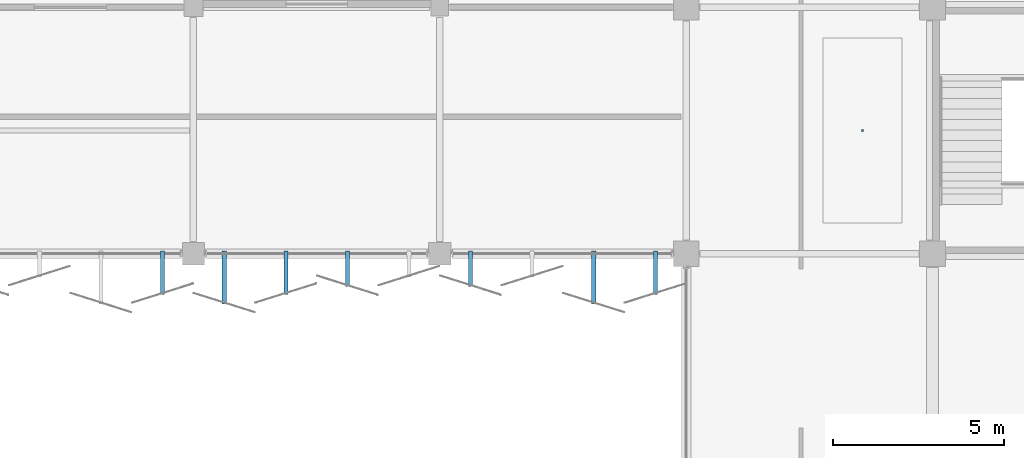
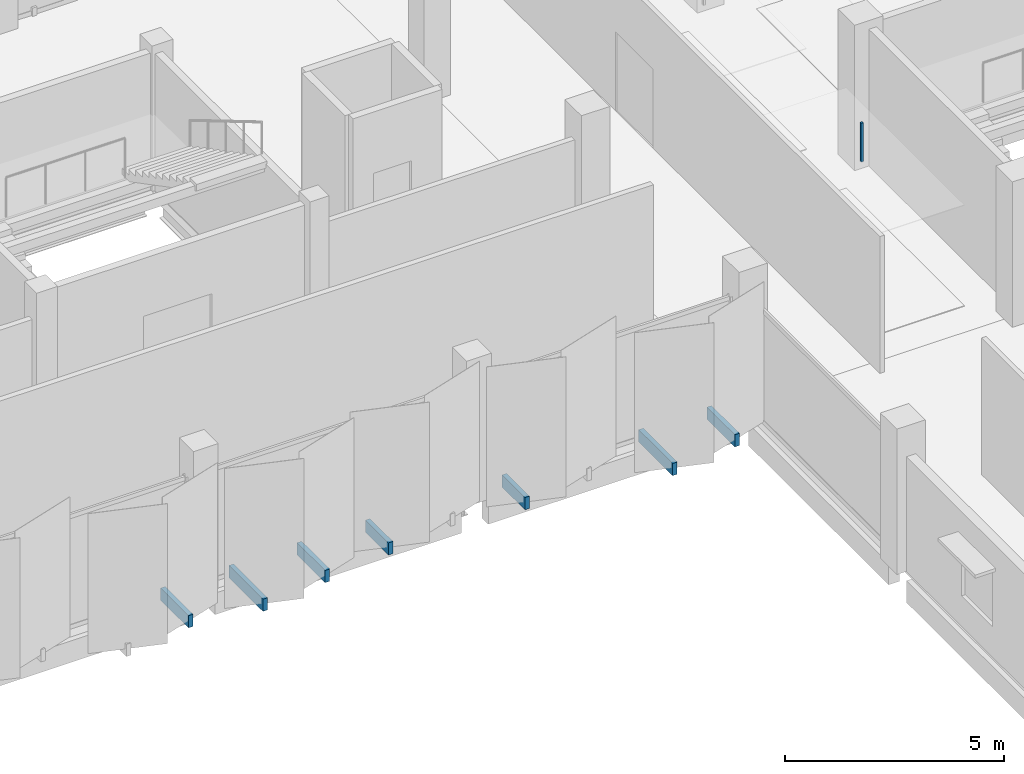
# One storey, part 102 of 108: 8 discrete accessories.
"""IFC4 building model written with IfcOpenShell, lengths in metres."""

import ifcopenshell
import ifcopenshell.guid

model = None  # the IFC model being written
_history = None  # IfcOwnerHistory: only IFC2X3 demands one
_inside = {}  # id of a spatial element -> (the spatial element, [elements in it])
_under = {}  # id of a project, library or spatial element -> (it, [spatial elements below it])
_declared = {}  # id of a project -> (the project, [libraries it declares])
_typed = {}  # id of a type object -> (the type object, [elements of that type])
_made_of = {}  # id of a material, layer set ... -> (it, [elements and type objects made of it])


def new_model(schema):
    """Start an empty IFC model of exactly this schema.

    Asked for "IFC4X3", IfcOpenShell would pick the latest addendum, in which some entities
    have other attributes; the version numbers below select the first issue.
    IFC2X3 requires an IfcOwnerHistory on every rooted entity: one is made here for all.
    """
    global model, _history
    if schema == "IFC4X3":
        model = ifcopenshell.file(schema_version=(4, 3, 0, 0))
    else:
        model = ifcopenshell.file(schema=schema)
    _inside.clear()
    _under.clear()
    _declared.clear()
    _typed.clear()
    _made_of.clear()
    _history = None
    if model.schema == "IFC2X3":
        org = make("IfcOrganization", Name="unknown")
        user = make(
            "IfcPersonAndOrganization",
            ThePerson=make("IfcPerson", FamilyName="unknown"),
            TheOrganization=org,
        )
        app = make(
            "IfcApplication",
            ApplicationDeveloper=org,
            Version="unknown",
            ApplicationFullName="unknown",
            ApplicationIdentifier="unknown",
        )
        _history = make(
            "IfcOwnerHistory",
            OwningUser=user,
            OwningApplication=app,
            ChangeAction="ADDED",
            CreationDate=0,
        )
    return model


def make(cls, **values):
    """One entity of the class cls with the attributes given. An attribute that is None is left unset."""
    return model.create_entity(
        cls, **{name: value for name, value in values.items() if value is not None}
    )


def rooted(cls, **values):
    """An entity with a GlobalId (a new one), such as an element, a storey or a relation."""
    return make(cls, GlobalId=ifcopenshell.guid.new(), OwnerHistory=_history, **values)


def si_unit(unit_type, name, prefix=None):
    """IfcSIUnit, for example si_unit("LENGTHUNIT", "METRE", prefix="MILLI")."""
    return make("IfcSIUnit", UnitType=unit_type, Prefix=prefix, Name=name)


def assignment(units):
    """IfcUnitAssignment: the units of a project."""
    return None if units is None else make("IfcUnitAssignment", Units=units)


def point(xyz):
    """IfcCartesianPoint."""
    return None if xyz is None else make("IfcCartesianPoint", Coordinates=xyz)


def direction(xyz):
    """IfcDirection."""
    return None if xyz is None else make("IfcDirection", DirectionRatios=xyz)


def frame(location, z_axis=None, x_axis=None):
    """IfcAxis2Placement3D, a coordinate frame: its origin and axes. An axis left out is left unset."""
    return make(
        "IfcAxis2Placement3D",
        Location=point(location),
        Axis=direction(z_axis),
        RefDirection=direction(x_axis),
    )


def frame_2d(location, x_axis=None):
    """IfcAxis2Placement2D, a coordinate frame in the plane: its origin and x axis."""
    return make(
        "IfcAxis2Placement2D", Location=point(location), RefDirection=direction(x_axis)
    )


def origin():
    """The frame at (0, 0, 0) with its axes left unset."""
    return frame((0.0, 0.0, 0.0))


def origin_2d():
    """The frame at (0, 0) in the plane with its x axis left unset."""
    return frame_2d((0.0, 0.0))


def place(relative_to, where):
    """IfcLocalPlacement: puts the frame where relative to a parent placement (None: the world)."""
    return make(
        "IfcLocalPlacement", PlacementRelTo=relative_to, RelativePlacement=where
    )


def context(
    kind, dimensions, precision=None, world=None, true_north=None, identifier=None
):
    """IfcGeometricRepresentationContext, for example the 3D "Model" context."""
    return make(
        "IfcGeometricRepresentationContext",
        ContextIdentifier=identifier,
        ContextType=kind,
        CoordinateSpaceDimension=dimensions,
        Precision=precision,
        WorldCoordinateSystem=world,
        TrueNorth=true_north,
    )


def subcontext(parent, identifier, kind, view, scale=None):
    """IfcGeometricRepresentationSubContext, for example "Body" below "Model"."""
    return make(
        "IfcGeometricRepresentationSubContext",
        ContextIdentifier=identifier,
        ContextType=kind,
        ParentContext=parent,
        TargetScale=scale,
        TargetView=view,
    )


def project(units=None, contexts=None):
    """IfcProject with its units and contexts."""
    return rooted(
        "IfcProject",
        Name="project",
        RepresentationContexts=contexts,
        UnitsInContext=assignment(units),
    )


def spatial(cls, under=None, at=None, **own):
    """A site, building, storey or space (cls), placed at a placement, below another one or the project."""
    s = rooted(cls, ObjectPlacement=at, **own)
    if under is not None:
        _under.setdefault(under.id(), (under, []))[1].append(s)
    return s


def profile(cls, at=None, kind="AREA", **sizes):
    """A parametric profile (cls). Its sizes go by their IFC names, for example OverallWidth=200.0."""
    return make(cls, ProfileType=kind, Position=at, **sizes)


def rectangle(**sizes):
    """IfcRectangleProfileDef."""
    return profile("IfcRectangleProfileDef", **sizes)


def extrude(swept, where, along, depth):
    """IfcExtrudedAreaSolid: the profile swept, set in the frame where, extruded along a direction by depth."""
    return make(
        "IfcExtrudedAreaSolid",
        SweptArea=swept,
        Position=where,
        ExtrudedDirection=direction(along),
        Depth=depth,
    )


def shape(context_of_items, identifier, shape_type, items):
    """IfcShapeRepresentation: the items that make up one representation, for example the "Body"."""
    return make(
        "IfcShapeRepresentation",
        ContextOfItems=context_of_items,
        RepresentationIdentifier=identifier,
        RepresentationType=shape_type,
        Items=items,
    )


def material(Name=None, Category=None):
    """IfcMaterial."""
    return make("IfcMaterial", Name=Name, Category=Category)


def made_of(thing, what):
    """Note that an element or type object is made of a material, layer set ...; save() writes the relation."""
    if what is not None:
        _made_of.setdefault(what.id(), (what, []))[1].append(thing)
    return thing


def type_object(cls, material=None, **own):
    """A type object (cls), such as IfcWallType, which elements share."""
    return made_of(rooted(cls, **own), material)


def element(
    cls,
    number,
    at=None,
    inside=None,
    cuts=None,
    type_object=None,
    material=None,
    context=None,
    identifier="Body",
    shape_type=None,
    held_by="IfcProductDefinitionShape",
    body=None,
    shapes=None,
    **own,
):
    """One element of the class cls, such as IfcWall. Its Tag is "e" and its number.

    at: its placement. inside: the storey or other place that contains it. cuts: it is an
    opening in that element (IfcRelVoidsElement). A single representation is given by context,
    identifier, shape_type and body (its items); several are given by shapes. held_by: the class
    of the entity that holds the representations. save() writes the other relations.
    """
    e = rooted(cls, Tag="e%d" % number, ObjectPlacement=at, **own)
    if body is not None:
        shapes = [shape(context, identifier, shape_type, body)]
    if shapes is not None:
        e.Representation = make(held_by, Representations=shapes)
    if inside is not None:
        _inside.setdefault(inside.id(), (inside, []))[1].append(e)
    if cuts is not None:
        rooted(
            "IfcRelVoidsElement", RelatingBuildingElement=cuts, RelatedOpeningElement=e
        )
    if type_object is not None:
        _typed.setdefault(type_object.id(), (type_object, []))[1].append(e)
    return made_of(e, material)


def aggregate(whole, parts):
    """IfcRelAggregates: a whole, such as a stair, and the parts it consists of."""
    return rooted("IfcRelAggregates", RelatingObject=whole, RelatedObjects=parts)


def save(model, path):
    """Write the relations noted so far, then the file.

    IfcRelAggregates (storeys below a building ...), IfcRelContainedInSpatialStructure (elements
    in a storey), IfcRelDefinesByType, IfcRelAssociatesMaterial and IfcRelDeclares: one each for
    every whole, place, type object, material and project.
    """
    for whole, parts in _under.values():
        aggregate(whole, parts)
    for where, things in _inside.values():
        rooted(
            "IfcRelContainedInSpatialStructure",
            RelatedElements=things,
            RelatingStructure=where,
        )
    for kind, things in _typed.values():
        rooted("IfcRelDefinesByType", RelatedObjects=things, RelatingType=kind)
    for what, things in _made_of.values():
        rooted("IfcRelAssociatesMaterial", RelatedObjects=things, RelatingMaterial=what)
    for by, libraries in _declared.values():
        rooted("IfcRelDeclares", RelatingContext=by, RelatedDefinitions=libraries)
    model.write(path)


model = new_model("IFC4")

# Units and contexts
model_context = context("Model", 3, precision=1e-05, world=origin(), true_north=direction((0.0, 1.0)))
body_context = subcontext(model_context, "Body", "Model", "MODEL_VIEW")
ifc_project = project(units=[si_unit("LENGTHUNIT", "METRE"), si_unit("AREAUNIT", "SQUARE_METRE"), si_unit("VOLUMEUNIT", "CUBIC_METRE"), si_unit("PLANEANGLEUNIT", "RADIAN"), si_unit("MASSUNIT", "GRAM", prefix="KILO")], contexts=[model_context])

# Site, building, storey
site_placement = place(None, origin())
site = spatial("IfcSite", under=ifc_project, at=site_placement, CompositionType="ELEMENT")
building_placement = place(site_placement, origin())
building = spatial("IfcBuilding", under=site, at=building_placement, Name="Kangsadwip Square Police Headquarters", CompositionType="ELEMENT")
storey_placement = place(building_placement, frame((0.0, 0.0, 9.449951171875)))
storey = spatial("IfcBuildingStorey", under=building, at=storey_placement, Name="L02", CompositionType="ELEMENT", Elevation=9.449951171875)

# Discrete accessories
ifc_material = material(Name="Structural steel IS 2062 E350 (Grade 350, 350 MPa)", Category="steel")
discrete_accessory_type = type_object("IfcDiscreteAccessoryType", Name="VeilOutriggerBracket", PredefinedType="BRACKET", material=ifc_material)
discrete_accessory_1_placement = place(storey_placement, frame((128.699951171875, 93.042724609375, -0.10986328125), z_axis=(0.0, 0.0, 1.0), x_axis=(1.0, 0.0, 0.0)))
element("IfcDiscreteAccessory", 1, at=discrete_accessory_1_placement, inside=storey, type_object=discrete_accessory_type, Name="Veil Outrigger Bracket VBK-L02-0300", PredefinedType="BRACKET", context=body_context, shape_type="SweptSolid", body=[
    extrude(rectangle(XDim=0.1201171875, YDim=1.274658203125, at=origin_2d()), origin(), (0.0, 0.0, 1.0), 0.340087890625),
])
discrete_accessory_2_placement = place(storey_placement, frame((130.5, 92.902587890625, -0.10986328125), z_axis=(0.0, 0.0, 1.0), x_axis=(1.0, 0.0, 0.0)))
element("IfcDiscreteAccessory", 2, at=discrete_accessory_2_placement, inside=storey, type_object=discrete_accessory_type, Name="Veil Outrigger Bracket VBK-L02-0301", PredefinedType="BRACKET", context=body_context, shape_type="SweptSolid", body=[
    extrude(rectangle(XDim=0.1201171875, YDim=1.5546875, at=origin_2d()), origin(), (0.0, 0.0, 1.0), 0.340087890625),
])
discrete_accessory_3_placement = place(storey_placement, frame((132.300048828125, 93.042724609375, -0.10986328125), z_axis=(0.0, 0.0, 1.0), x_axis=(1.0, 0.0, 0.0)))
element("IfcDiscreteAccessory", 3, at=discrete_accessory_3_placement, inside=storey, type_object=discrete_accessory_type, Name="Veil Outrigger Bracket VBK-L02-0302", PredefinedType="BRACKET", context=body_context, shape_type="SweptSolid", body=[
    extrude(rectangle(XDim=0.1201171875, YDim=1.274658203125, at=origin_2d()), origin(), (0.0, 0.0, 1.0), 0.340087890625),
])
for number, where, z_axis, x_axis, name in (
    (4, (134.10009765625, 93.1572265625, -0.10986328125), (0.0, 0.0, 1.0), (1.0, 0.0, 0.0), "Veil Outrigger Bracket VBK-L02-0303"),
    (5, (137.699951171875, 93.1572265625, -0.10986328125), (0.0, 0.0, 1.0), (1.0, 0.0, 0.0), "Veil Outrigger Bracket VBK-L02-0305"),
):
    element("IfcDiscreteAccessory", number, at=place(storey_placement, frame(where, z_axis=z_axis, x_axis=x_axis)), inside=storey, type_object=discrete_accessory_type, Name=name, PredefinedType="BRACKET", context=body_context, shape_type="SweptSolid", body=[
        extrude(rectangle(XDim=0.1201171875, YDim=1.04541015625, at=origin_2d()), origin(), (0.0, 0.0, 1.0), 0.340087890625),
    ])
discrete_accessory_4_placement = place(storey_placement, frame((141.300048828125, 92.902587890625, -0.10986328125), z_axis=(0.0, 0.0, 1.0), x_axis=(1.0, 0.0, 0.0)))
element("IfcDiscreteAccessory", 6, at=discrete_accessory_4_placement, inside=storey, type_object=discrete_accessory_type, Name="Veil Outrigger Bracket VBK-L02-0307", PredefinedType="BRACKET", context=body_context, shape_type="SweptSolid", body=[
    extrude(rectangle(XDim=0.1201171875, YDim=1.5546875, at=origin_2d()), origin(), (0.0, 0.0, 1.0), 0.340087890625),
])
discrete_accessory_5_placement = place(storey_placement, frame((143.10009765625, 93.042724609375, -0.10986328125), z_axis=(0.0, 0.0, 1.0), x_axis=(1.0, 0.0, 0.0)))
element("IfcDiscreteAccessory", 7, at=discrete_accessory_5_placement, inside=storey, type_object=discrete_accessory_type, Name="Veil Outrigger Bracket VBK-L02-0308", PredefinedType="BRACKET", context=body_context, shape_type="SweptSolid", body=[
    extrude(rectangle(XDim=0.1201171875, YDim=1.274658203125, at=origin_2d()), origin(), (0.0, 0.0, 1.0), 0.340087890625),
])
discrete_accessory_6_placement = place(storey_placement, frame((149.14990234375, 97.199951171875, 2.81005859375), z_axis=(0.0, 0.0, 1.0), x_axis=(1.0, 0.0, 0.0)))
element("IfcDiscreteAccessory", 8, at=discrete_accessory_6_placement, inside=storey, type_object=discrete_accessory_type, Name="Ceiling Suspension Hanger L02-069", PredefinedType="BRACKET", context=body_context, shape_type="SweptSolid", body=[
    extrude(rectangle(XDim=0.06005859375, YDim=0.06005859375, at=origin_2d()), origin(), (0.0, 0.0, 1.0), 1.080078125),
])

save(model, "model.ifc")
